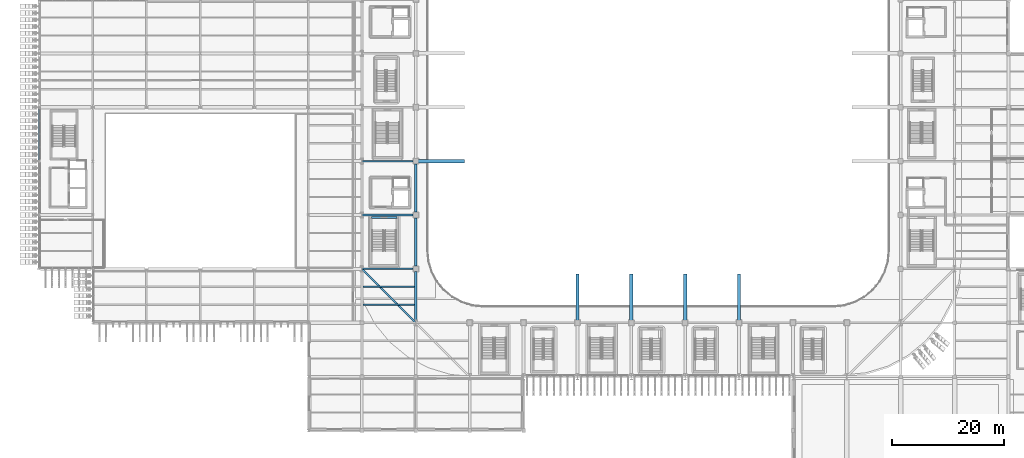
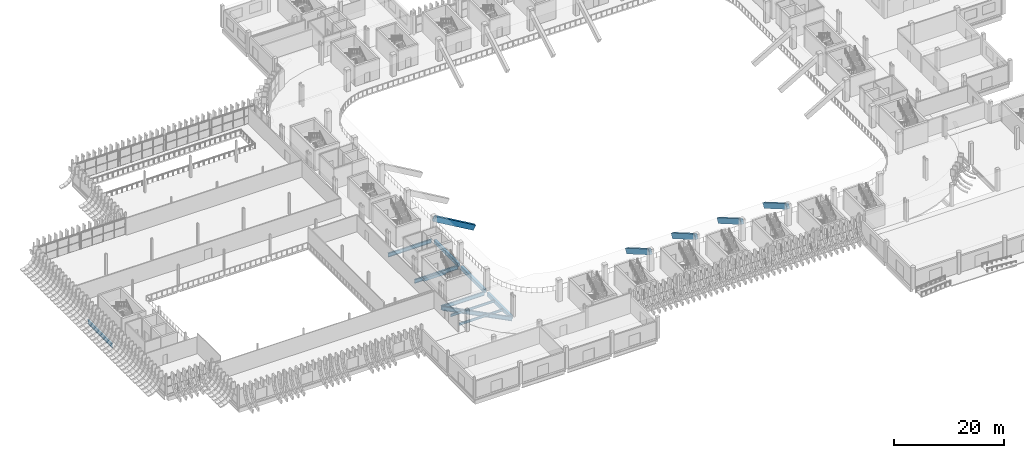
# One storey, part 20 of 100: 16 beams.
"""IFC4 building model written with IfcOpenShell, lengths in metres."""

import ifcopenshell
import ifcopenshell.guid

model = None  # the IFC model being written
_history = None  # IfcOwnerHistory: only IFC2X3 demands one
_inside = {}  # id of a spatial element -> (the spatial element, [elements in it])
_under = {}  # id of a project, library or spatial element -> (it, [spatial elements below it])
_declared = {}  # id of a project -> (the project, [libraries it declares])
_typed = {}  # id of a type object -> (the type object, [elements of that type])
_made_of = {}  # id of a material, layer set ... -> (it, [elements and type objects made of it])


def new_model(schema):
    """Start an empty IFC model of exactly this schema.

    Asked for "IFC4X3", IfcOpenShell would pick the latest addendum, in which some entities
    have other attributes; the version numbers below select the first issue.
    IFC2X3 requires an IfcOwnerHistory on every rooted entity: one is made here for all.
    """
    global model, _history
    if schema == "IFC4X3":
        model = ifcopenshell.file(schema_version=(4, 3, 0, 0))
    else:
        model = ifcopenshell.file(schema=schema)
    _inside.clear()
    _under.clear()
    _declared.clear()
    _typed.clear()
    _made_of.clear()
    _history = None
    if model.schema == "IFC2X3":
        org = make("IfcOrganization", Name="unknown")
        user = make(
            "IfcPersonAndOrganization",
            ThePerson=make("IfcPerson", FamilyName="unknown"),
            TheOrganization=org,
        )
        app = make(
            "IfcApplication",
            ApplicationDeveloper=org,
            Version="unknown",
            ApplicationFullName="unknown",
            ApplicationIdentifier="unknown",
        )
        _history = make(
            "IfcOwnerHistory",
            OwningUser=user,
            OwningApplication=app,
            ChangeAction="ADDED",
            CreationDate=0,
        )
    return model


def make(cls, **values):
    """One entity of the class cls with the attributes given. An attribute that is None is left unset."""
    return model.create_entity(
        cls, **{name: value for name, value in values.items() if value is not None}
    )


def rooted(cls, **values):
    """An entity with a GlobalId (a new one), such as an element, a storey or a relation."""
    return make(cls, GlobalId=ifcopenshell.guid.new(), OwnerHistory=_history, **values)


def si_unit(unit_type, name, prefix=None):
    """IfcSIUnit, for example si_unit("LENGTHUNIT", "METRE", prefix="MILLI")."""
    return make("IfcSIUnit", UnitType=unit_type, Prefix=prefix, Name=name)


def assignment(units):
    """IfcUnitAssignment: the units of a project."""
    return None if units is None else make("IfcUnitAssignment", Units=units)


def point(xyz):
    """IfcCartesianPoint."""
    return None if xyz is None else make("IfcCartesianPoint", Coordinates=xyz)


def direction(xyz):
    """IfcDirection."""
    return None if xyz is None else make("IfcDirection", DirectionRatios=xyz)


def frame(location, z_axis=None, x_axis=None):
    """IfcAxis2Placement3D, a coordinate frame: its origin and axes. An axis left out is left unset."""
    return make(
        "IfcAxis2Placement3D",
        Location=point(location),
        Axis=direction(z_axis),
        RefDirection=direction(x_axis),
    )


def frame_2d(location, x_axis=None):
    """IfcAxis2Placement2D, a coordinate frame in the plane: its origin and x axis."""
    return make(
        "IfcAxis2Placement2D", Location=point(location), RefDirection=direction(x_axis)
    )


def origin():
    """The frame at (0, 0, 0) with its axes left unset."""
    return frame((0.0, 0.0, 0.0))


def origin_2d():
    """The frame at (0, 0) in the plane with its x axis left unset."""
    return frame_2d((0.0, 0.0))


def place(relative_to, where):
    """IfcLocalPlacement: puts the frame where relative to a parent placement (None: the world)."""
    return make(
        "IfcLocalPlacement", PlacementRelTo=relative_to, RelativePlacement=where
    )


def context(
    kind, dimensions, precision=None, world=None, true_north=None, identifier=None
):
    """IfcGeometricRepresentationContext, for example the 3D "Model" context."""
    return make(
        "IfcGeometricRepresentationContext",
        ContextIdentifier=identifier,
        ContextType=kind,
        CoordinateSpaceDimension=dimensions,
        Precision=precision,
        WorldCoordinateSystem=world,
        TrueNorth=true_north,
    )


def subcontext(parent, identifier, kind, view, scale=None):
    """IfcGeometricRepresentationSubContext, for example "Body" below "Model"."""
    return make(
        "IfcGeometricRepresentationSubContext",
        ContextIdentifier=identifier,
        ContextType=kind,
        ParentContext=parent,
        TargetScale=scale,
        TargetView=view,
    )


def project(units=None, contexts=None):
    """IfcProject with its units and contexts."""
    return rooted(
        "IfcProject",
        Name="project",
        RepresentationContexts=contexts,
        UnitsInContext=assignment(units),
    )


def spatial(cls, under=None, at=None, **own):
    """A site, building, storey or space (cls), placed at a placement, below another one or the project."""
    s = rooted(cls, ObjectPlacement=at, **own)
    if under is not None:
        _under.setdefault(under.id(), (under, []))[1].append(s)
    return s


def profile(cls, at=None, kind="AREA", **sizes):
    """A parametric profile (cls). Its sizes go by their IFC names, for example OverallWidth=200.0."""
    return make(cls, ProfileType=kind, Position=at, **sizes)


def rectangle(**sizes):
    """IfcRectangleProfileDef."""
    return profile("IfcRectangleProfileDef", **sizes)


def i_section(**sizes):
    """IfcIShapeProfileDef."""
    return profile("IfcIShapeProfileDef", **sizes)


def extrude(swept, where, along, depth):
    """IfcExtrudedAreaSolid: the profile swept, set in the frame where, extruded along a direction by depth."""
    return make(
        "IfcExtrudedAreaSolid",
        SweptArea=swept,
        Position=where,
        ExtrudedDirection=direction(along),
        Depth=depth,
    )


def shape(context_of_items, identifier, shape_type, items):
    """IfcShapeRepresentation: the items that make up one representation, for example the "Body"."""
    return make(
        "IfcShapeRepresentation",
        ContextOfItems=context_of_items,
        RepresentationIdentifier=identifier,
        RepresentationType=shape_type,
        Items=items,
    )


def material(Name=None, Category=None):
    """IfcMaterial."""
    return make("IfcMaterial", Name=Name, Category=Category)


def material_profile(
    of_material, cross_section, Name=None, Category=None, Priority=None
):
    """IfcMaterialProfile: a cross section and its material."""
    return make(
        "IfcMaterialProfile",
        Name=Name,
        Material=of_material,
        Profile=cross_section,
        Priority=Priority,
        Category=Category,
    )


def profile_set(profiles, Name=None, composite=None):
    """IfcMaterialProfileSet."""
    return make(
        "IfcMaterialProfileSet",
        Name=Name,
        MaterialProfiles=profiles,
        CompositeProfile=composite,
    )


def made_of(thing, what):
    """Note that an element or type object is made of a material, layer set ...; save() writes the relation."""
    if what is not None:
        _made_of.setdefault(what.id(), (what, []))[1].append(thing)
    return thing


def type_object(cls, material=None, **own):
    """A type object (cls), such as IfcWallType, which elements share."""
    return made_of(rooted(cls, **own), material)


def element(
    cls,
    number,
    at=None,
    inside=None,
    cuts=None,
    type_object=None,
    material=None,
    context=None,
    identifier="Body",
    shape_type=None,
    held_by="IfcProductDefinitionShape",
    body=None,
    shapes=None,
    **own,
):
    """One element of the class cls, such as IfcWall. Its Tag is "e" and its number.

    at: its placement. inside: the storey or other place that contains it. cuts: it is an
    opening in that element (IfcRelVoidsElement). A single representation is given by context,
    identifier, shape_type and body (its items); several are given by shapes. held_by: the class
    of the entity that holds the representations. save() writes the other relations.
    """
    e = rooted(cls, Tag="e%d" % number, ObjectPlacement=at, **own)
    if body is not None:
        shapes = [shape(context, identifier, shape_type, body)]
    if shapes is not None:
        e.Representation = make(held_by, Representations=shapes)
    if inside is not None:
        _inside.setdefault(inside.id(), (inside, []))[1].append(e)
    if cuts is not None:
        rooted(
            "IfcRelVoidsElement", RelatingBuildingElement=cuts, RelatedOpeningElement=e
        )
    if type_object is not None:
        _typed.setdefault(type_object.id(), (type_object, []))[1].append(e)
    return made_of(e, material)


def aggregate(whole, parts):
    """IfcRelAggregates: a whole, such as a stair, and the parts it consists of."""
    return rooted("IfcRelAggregates", RelatingObject=whole, RelatedObjects=parts)


def save(model, path):
    """Write the relations noted so far, then the file.

    IfcRelAggregates (storeys below a building ...), IfcRelContainedInSpatialStructure (elements
    in a storey), IfcRelDefinesByType, IfcRelAssociatesMaterial and IfcRelDeclares: one each for
    every whole, place, type object, material and project.
    """
    for whole, parts in _under.values():
        aggregate(whole, parts)
    for where, things in _inside.values():
        rooted(
            "IfcRelContainedInSpatialStructure",
            RelatedElements=things,
            RelatingStructure=where,
        )
    for kind, things in _typed.values():
        rooted("IfcRelDefinesByType", RelatedObjects=things, RelatingType=kind)
    for what, things in _made_of.values():
        rooted("IfcRelAssociatesMaterial", RelatedObjects=things, RelatingMaterial=what)
    for by, libraries in _declared.values():
        rooted("IfcRelDeclares", RelatingContext=by, RelatedDefinitions=libraries)
    model.write(path)


model = new_model("IFC4")

# Units and contexts
model_context = context("Model", 3, precision=1e-05, world=origin(), true_north=direction((0.0, 1.0)))
body_context = subcontext(model_context, "Body", "Model", "MODEL_VIEW")
ifc_project = project(units=[si_unit("LENGTHUNIT", "METRE"), si_unit("AREAUNIT", "SQUARE_METRE"), si_unit("VOLUMEUNIT", "CUBIC_METRE"), si_unit("PLANEANGLEUNIT", "RADIAN"), si_unit("MASSUNIT", "GRAM", prefix="KILO")], contexts=[model_context])

# Site, building, storey
site_placement = place(None, origin())
site = spatial("IfcSite", under=ifc_project, at=site_placement, CompositionType="ELEMENT")
building_placement = place(site_placement, origin())
building = spatial("IfcBuilding", under=site, at=building_placement, Name="Caelomonte Colonnade Arena", CompositionType="ELEMENT")
storey_placement = place(building_placement, origin())
storey = spatial("IfcBuildingStorey", under=building, at=storey_placement, Name="L00", CompositionType="ELEMENT", Elevation=0.0)

# Beams
ifc_material_1 = material(Name="Wide-flange steel ASTM A992 Grade 50", Category="steel")
ifc_material_profile_1 = material_profile(ifc_material_1, i_section(OverallWidth=0.307861328125, OverallDepth=0.927001953125, WebThickness=0.019287109375, FlangeThickness=0.031982421875, FilletRadius=0.020263671875, at=origin_2d()), Name="W36X194")
ifc_profile_set_1 = profile_set([ifc_material_profile_1], Name="Wide-flange steel ASTM A992 Grade 50")
beam_type_1 = type_object("IfcBeamType", Name="STR-BM-EAVES2", PredefinedType="SPANDREL", material=ifc_profile_set_1)
beam_1_placement = place(storey_placement, frame((0.0, 57.7783203125, -0.763427734375), z_axis=(0.0, 1.0, 0.0), x_axis=(-1.0, 0.0, 0.0)))
element("IfcBeam", 1, at=beam_1_placement, inside=storey, type_object=beam_type_1, Name="L00 girder BMY-L00-0000-0576", PredefinedType="SPANDREL", context=body_context, shape_type="SweptSolid", body=[
    extrude(i_section(OverallWidth=0.307861328125, OverallDepth=0.927001953125, WebThickness=0.019287109375, FlangeThickness=0.031982421875, FilletRadius=0.020263671875, at=origin_2d()), origin(), (0.0, 0.0, 1.0), 9.004638671875),
])
beam_2_placement = place(storey_placement, frame((57.745361328125, 38.254638671875, -0.763427734375), z_axis=(0.707106781187, -0.707106781187, 0.0), x_axis=(0.707106781187, 0.707106781187, 0.0)))
element("IfcBeam", 2, at=beam_2_placement, inside=storey, type_object=beam_type_1, Name="L00 drum corner ring girder 1", PredefinedType="SPANDREL", context=body_context, shape_type="SweptSolid", body=[
    extrude(i_section(OverallWidth=0.307861328125, OverallDepth=0.927001953125, WebThickness=0.019287109375, FlangeThickness=0.031982421875, FilletRadius=0.020263671875, at=origin_2d()), origin(), (0.0, 0.0, 1.0), 13.165283203125),
])
ifc_material_profile_2 = material_profile(ifc_material_1, i_section(OverallWidth=0.2919921875, OverallDepth=0.845703125, WebThickness=0.015380859375, FlangeThickness=0.0244140625, FilletRadius=0.017822265625, at=origin_2d()), Name="W33X141")
ifc_profile_set_2 = profile_set([ifc_material_profile_2], Name="Wide-flange steel ASTM A992 Grade 50")
beam_type_2 = type_object("IfcBeamType", Name="STR-BM-GIRD33", PredefinedType="BEAM", material=ifc_profile_set_2)
for number, where, z_axis, x_axis, name in (
    (3, (57.615478515625, 38.39990234375, -0.722900390625), (1.0, 0.0, 0.0), (0.0, 1.0, 0.0), "L00 girder BMX-L00-0576-0384"),
    (4, (57.615478515625, 48.0, -0.722900390625), (1.0, 0.0, 0.0), (0.0, 1.0, 0.0), "L00 girder BMX-L00-0576-0480"),
    (5, (57.615478515625, 57.60009765625, -0.722900390625), (1.0, 0.0, 0.0), (0.0, 1.0, 0.0), "L00 girder BMX-L00-0576-0576"),
):
    element("IfcBeam", number, at=place(storey_placement, frame(where, z_axis=z_axis, x_axis=x_axis)), inside=storey, type_object=beam_type_2, Name=name, PredefinedType="BEAM", context=body_context, shape_type="SweptSolid", body=[
        extrude(i_section(OverallWidth=0.2919921875, OverallDepth=0.845703125, WebThickness=0.015380859375, FlangeThickness=0.0244140625, FilletRadius=0.017822265625, at=origin_2d()), origin(), (0.0, 0.0, 1.0), 9.092529296875),
    ])
ifc_material_profile_3 = material_profile(ifc_material_1, i_section(OverallWidth=0.209228515625, OverallDepth=0.533447265625, WebThickness=0.01025390625, FlangeThickness=0.015625, FilletRadius=0.0126953125, at=origin_2d()), Name="W21X62")
ifc_profile_set_3 = profile_set([ifc_material_profile_3], Name="Wide-flange steel ASTM A992 Grade 50")
beam_type_3 = type_object("IfcBeamType", Name="STR-BM-JOIST21", PredefinedType="JOIST", material=ifc_profile_set_3)
for number, where, z_axis, x_axis, name in (
    (6, (57.748779296875, 32.0, -0.566650390625), (1.0, 0.0, 0.0), (0.0, 1.0, 0.0), "L00 secondary joist 1"),
    (7, (57.748779296875, 35.199951171875, -0.566650390625), (1.0, 0.0, 0.0), (0.0, 1.0, 0.0), "L00 secondary joist 2"),
):
    element("IfcBeam", number, at=place(storey_placement, frame(where, z_axis=z_axis, x_axis=x_axis)), inside=storey, type_object=beam_type_3, Name=name, PredefinedType="JOIST", context=body_context, shape_type="SweptSolid", body=[
        extrude(i_section(OverallWidth=0.209228515625, OverallDepth=0.533447265625, WebThickness=0.01025390625, FlangeThickness=0.015625, FilletRadius=0.0126953125, at=origin_2d()), origin(), (0.0, 0.0, 1.0), 9.206298828125),
    ])
ifc_material_2 = material(Name="Concrete C40/50", Category="concrete")
ifc_material_profile_4 = material_profile(ifc_material_2, rectangle(XDim=0.39990234375, YDim=0.64990234375, at=origin_2d()), Name="RC400X650")
ifc_profile_set_4 = profile_set([ifc_material_profile_4], Name="Concrete C40/50")
beam_type_4 = type_object("IfcBeamType", Name="STR-BM-LINT40", PredefinedType="LINTEL", material=ifc_profile_set_4)
beam_3_placement = place(storey_placement, frame((59.27490234375, 47.574951171875, -0.625), z_axis=(1.0, 0.0, 0.0), x_axis=(0.0, 1.0, 0.0)))
element("IfcBeam", 8, at=beam_3_placement, inside=storey, type_object=beam_type_4, Name="Core C1 L00 coupling lintel beam", PredefinedType="LINTEL", context=body_context, shape_type="SweptSolid", body=[
    extrude(rectangle(XDim=0.39990234375, YDim=0.64990234375, at=origin_2d()), origin(), (0.0, 0.0, 1.0), 4.550048828125),
])
ifc_material_profile_5 = material_profile(ifc_material_2, rectangle(XDim=0.5, YDim=0.800048828125, at=origin_2d()), Name="RC500X800")
ifc_profile_set_5 = profile_set([ifc_material_profile_5], Name="Concrete C40/50")
beam_type_5 = type_object("IfcBeamType", Name="STR-BM-RC50", PredefinedType="BEAM", material=ifc_profile_set_5)
beam_4_placement = place(storey_placement, frame((67.199951171875, 29.312744140625, -0.699951171875), z_axis=(0.0, 1.0, 0.0), x_axis=(-1.0, 0.0, 0.0)))
element("IfcBeam", 9, at=beam_4_placement, inside=storey, type_object=beam_type_5, Name="L00 girder BMY-L00-0672-0288", PredefinedType="BEAM", context=body_context, shape_type="SweptSolid", body=[
    extrude(rectangle(XDim=0.5, YDim=0.800048828125, at=origin_2d()), origin(), (0.0, 0.0, 1.0), 8.59521484375),
])
for number, where, z_axis, x_axis, name in (
    (10, (67.199951171875, 38.89208984375, -0.699951171875), (0.0, 1.0, 0.0), (-1.0, 0.0, 0.0), "L00 girder BMY-L00-0672-0384"),
    (11, (67.199951171875, 48.491943359375, -0.699951171875), (0.0, 1.0, 0.0), (-1.0, 0.0, 0.0), "L00 girder BMY-L00-0672-0480"),
):
    element("IfcBeam", number, at=place(storey_placement, frame(where, z_axis=z_axis, x_axis=x_axis)), inside=storey, type_object=beam_type_5, Name=name, PredefinedType="BEAM", context=body_context, shape_type="SweptSolid", body=[
        extrude(rectangle(XDim=0.5, YDim=0.800048828125, at=origin_2d()), origin(), (0.0, 0.0, 1.0), 8.615966796875),
    ])
ifc_material_3 = material(Name="Concrete C50/60", Category="concrete")
ifc_material_profile_6 = material_profile(ifc_material_3, rectangle(XDim=0.60009765625, YDim=1.10009765625, at=origin_2d()), Name="RC600X1100")
ifc_profile_set_6 = profile_set([ifc_material_profile_6], Name="Concrete C50/60")
beam_type_6 = type_object("IfcBeamType", Name="STR-BM-RKL", PredefinedType="USERDEFINED", material=ifc_profile_set_6)
for number, where, z_axis, x_axis, name in (
    (12, (96.0, 37.199951171875, -0.800048828125), (0.0, -0.86470818683, 0.502274577924), (1.0, 0.0, 0.0), "Lower bowl outer raker girder S-96"),
    (13, (105.60009765625, 37.199951171875, -0.800048828125), (0.0, -0.86470818683, 0.502274577924), (1.0, 0.0, 0.0), "Lower bowl outer raker girder S-105"),
    (14, (115.199951171875, 37.199951171875, -0.800048828125), (0.0, -0.86470818683, 0.502274577924), (1.0, 0.0, 0.0), "Lower bowl outer raker girder S-115"),
    (15, (124.800048828125, 37.199951171875, -0.800048828125), (0.0, -0.86470818683, 0.502274577924), (1.0, 0.0, 0.0), "Lower bowl outer raker girder S-124"),
):
    element("IfcBeam", number, at=place(storey_placement, frame(where, z_axis=z_axis, x_axis=x_axis)), inside=storey, type_object=beam_type_6, Name=name, ObjectType="RAKER", PredefinedType="USERDEFINED", context=body_context, shape_type="SweptSolid", body=[
        extrude(rectangle(XDim=0.60009765625, YDim=1.10009765625, at=origin_2d()), origin(), (0.0, 0.0, 1.0), 9.65625),
    ])
beam_5_placement = place(storey_placement, frame((75.60009765625, 57.60009765625, -0.800048828125), z_axis=(-0.864714565042, 0.0, 0.502263597132), x_axis=(0.0, -1.0, 0.0)))
element("IfcBeam", 16, at=beam_5_placement, inside=storey, type_object=beam_type_6, Name="Lower bowl outer raker girder W-57", ObjectType="RAKER", PredefinedType="USERDEFINED", context=body_context, shape_type="SweptSolid", body=[
    extrude(rectangle(XDim=0.60009765625, YDim=1.10009765625, at=origin_2d()), origin(), (0.0, 0.0, 1.0), 9.656494140625),
])

save(model, "model.ifc")
